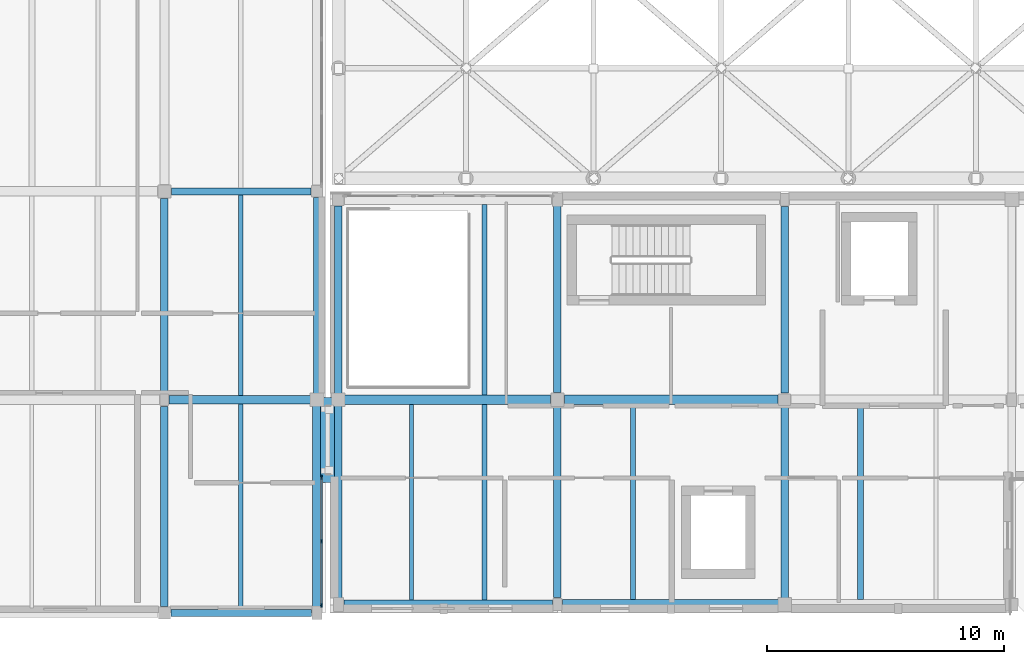
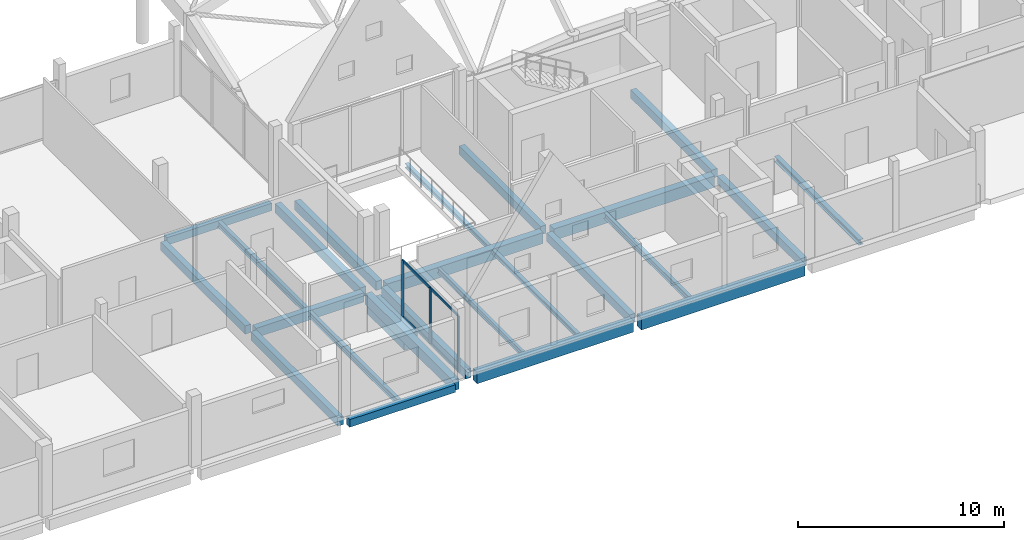
# One storey, part 7 of 41: 25 beams, 7 members, 1 element without a shape of its own.
"""IFC4 building model written with IfcOpenShell, lengths in metres."""

from ifc_helpers import new_model, si_unit, direction, frame, origin, origin_2d, place, context, subcontext, project, spatial, rectangle, i_section, extrude, material, layer, layer_set, material_profile, profile_set, type_object, element, aggregate, save


model = new_model("IFC4")

# Units and contexts
model_context = context("Model", 3, precision=1e-05, world=origin(), true_north=direction((0.0, 1.0)))
body_context = subcontext(model_context, "Body", "Model", "MODEL_VIEW")
ifc_project = project(units=[si_unit("LENGTHUNIT", "METRE"), si_unit("AREAUNIT", "SQUARE_METRE"), si_unit("VOLUMEUNIT", "CUBIC_METRE"), si_unit("PLANEANGLEUNIT", "RADIAN"), si_unit("MASSUNIT", "GRAM", prefix="KILO")], contexts=[model_context])

# Site, building, storey
site_placement = place(None, origin())
site = spatial("IfcSite", under=ifc_project, at=site_placement, CompositionType="ELEMENT")
building_placement = place(site_placement, origin())
building = spatial("IfcBuilding", under=site, at=building_placement, Name="Birchvale Park Specialist Clinic", CompositionType="ELEMENT")
storey_placement = place(building_placement, frame((0.0, 0.0, 9.60009765625)))
storey = spatial("IfcBuildingStorey", under=building, at=storey_placement, Name="L02", CompositionType="ELEMENT", Elevation=9.60009765625)

# Beams
ifc_material_1 = material(Name="Concrete C40/50", Category="concrete")
ifc_material_profile_1 = material_profile(ifc_material_1, rectangle(XDim=0.419921875, YDim=0.719970703125, at=origin_2d()), Name="RCB-420x720")
ifc_profile_set_1 = profile_set([ifc_material_profile_1], Name="Concrete C40/50")
beam_type_1 = type_object("IfcBeamType", Name="BM-EXT-BG3", PredefinedType="BEAM", material=ifc_profile_set_1)
beam_1_placement = place(storey_placement, frame((61.610107421875, 17.14990234375, -0.64013671875), z_axis=(1.0, 0.0, 0.0), x_axis=(0.0, 1.0, 0.0)))
element("IfcBeam", 1, at=beam_1_placement, inside=storey, type_object=beam_type_1, Name="V4 L02 X girder 2", PredefinedType="BEAM", context=body_context, shape_type="SweptSolid", body=[
    extrude(rectangle(XDim=0.419921875, YDim=0.719970703125, at=origin_2d()), origin(), (0.0, 0.0, 1.0), 9.204833984375),
])
ifc_material_profile_2 = material_profile(ifc_material_1, rectangle(XDim=0.39990234375, YDim=0.68994140625, at=origin_2d()), Name="RCB-400x690")
ifc_profile_set_2 = profile_set([ifc_material_profile_2], Name="Concrete C40/50")
beam_type_2 = type_object("IfcBeamType", Name="BM-EXT-BG4", PredefinedType="BEAM", material=ifc_profile_set_2)
beam_2_placement = place(storey_placement, frame((52.389892578125, 17.14990234375, -0.625), z_axis=(1.0, 0.0, 0.0), x_axis=(0.0, 1.0, 0.0)))
element("IfcBeam", 2, at=beam_2_placement, inside=storey, type_object=beam_type_2, Name="V4 L02 X girder 1", PredefinedType="BEAM", context=body_context, shape_type="SweptSolid", body=[
    extrude(rectangle(XDim=0.39990234375, YDim=0.68994140625, at=origin_2d()), origin(), (0.0, 0.0, 1.0), 8.800048828125),
])
ifc_material_profile_3 = material_profile(ifc_material_1, rectangle(XDim=0.3798828125, YDim=0.639892578125, at=origin_2d()), Name="RCB-380x640")
ifc_profile_set_3 = profile_set([ifc_material_profile_3], Name="Concrete C40/50")
beam_type_3 = type_object("IfcBeamType", Name="BM-EXT-BG5", PredefinedType="BEAM", material=ifc_profile_set_3)
beam_3_placement = place(storey_placement, frame((51.25, 17.0400390625, -0.670166015625), z_axis=(0.0, 1.0, 0.0), x_axis=(-1.0, 0.0, 0.0)))
element("IfcBeam", 3, at=beam_3_placement, inside=storey, type_object=beam_type_3, Name="V2 L02 Y girder 35", PredefinedType="BEAM", context=body_context, shape_type="SweptSolid", body=[
    extrude(rectangle(XDim=0.3798828125, YDim=0.639892578125, at=origin_2d()), origin(), (0.0, 0.0, 1.0), 8.5),
])
ifc_material_profile_4 = material_profile(ifc_material_1, rectangle(XDim=0.320068359375, YDim=0.5400390625, at=origin_2d()), Name="RCB-320x540")
ifc_profile_set_4 = profile_set([ifc_material_profile_4], Name="Concrete C40/50")
beam_type_4 = type_object("IfcBeamType", Name="BM-EXT-BG7", PredefinedType="BEAM", material=ifc_profile_set_4)
beam_4_placement = place(storey_placement, frame((51.25, 26.06005859375, -0.6201171875), z_axis=(0.0, 1.0, 0.0), x_axis=(-1.0, 0.0, 0.0)))
element("IfcBeam", 4, at=beam_4_placement, inside=storey, type_object=beam_type_4, Name="V2 L02 Y girder 36", PredefinedType="BEAM", context=body_context, shape_type="SweptSolid", body=[
    extrude(rectangle(XDim=0.320068359375, YDim=0.5400390625, at=origin_2d()), origin(), (0.0, 0.0, 1.0), 8.27490234375),
])
beam_5_placement = place(storey_placement, frame((52.14990234375, 17.389892578125, -0.550048828125), z_axis=(0.0, 1.0, 0.0), x_axis=(-1.0, 0.0, 0.0)))
element("IfcBeam", 5, at=beam_5_placement, inside=storey, type_object=beam_type_4, Name="V4 L02 Y girder 21", PredefinedType="BEAM", context=body_context, shape_type="SweptSolid", body=[
    extrude(rectangle(XDim=0.320068359375, YDim=0.5400390625, at=origin_2d()), origin(), (0.0, 0.0, 1.0), 8.150146484375),
])
beam_6_placement = place(storey_placement, frame((52.14990234375, 26.06005859375, -0.550048828125), z_axis=(0.0, 1.0, 0.0), x_axis=(-1.0, 0.0, 0.0)))
element("IfcBeam", 6, at=beam_6_placement, inside=storey, type_object=beam_type_4, Name="V4 L02 Y girder 22", PredefinedType="BEAM", context=body_context, shape_type="SweptSolid", body=[
    extrude(rectangle(XDim=0.320068359375, YDim=0.5400390625, at=origin_2d()), origin(), (0.0, 0.0, 1.0), 7.925048828125),
])
ifc_material_profile_5 = material_profile(ifc_material_1, rectangle(XDim=0.760009765625, YDim=0.889892578125, at=origin_2d()), Name="RCB-760x890")
ifc_profile_set_5 = profile_set([ifc_material_profile_5], Name="Concrete C40/50")
beam_type_5 = type_object("IfcBeamType", Name="BM-EXT-RB2", PredefinedType="BEAM", material=ifc_profile_set_5)
beam_7_placement = place(storey_placement, frame((51.77001953125, 22.300048828125, -1.43212890625), z_axis=(0.0, 1.0, 0.0), x_axis=(-1.0, 0.0, 0.0)))
element("IfcBeam", 7, at=beam_7_placement, inside=storey, type_object=beam_type_5, Name="L02 seismic joint RC corbel seat 760 mm BRG-1", PredefinedType="BEAM", context=body_context, shape_type="SweptSolid", body=[
    extrude(rectangle(XDim=0.760009765625, YDim=0.889892578125, at=origin_2d()), origin(), (0.0, 0.0, 1.0), 3.599853515625),
])
ifc_material_profile_6 = material_profile(ifc_material_1, rectangle(XDim=0.419921875, YDim=0.679931640625, at=origin_2d()), Name="RCB-420x680")
ifc_profile_set_6 = profile_set([ifc_material_profile_6], Name="Concrete C40/50")
beam_type_6 = type_object("IfcBeamType", Name="BM-INT-BG3", PredefinedType="BEAM", material=ifc_profile_set_6)
beam_8_placement = place(storey_placement, frame((61.699951171875, 25.800048828125, -0.6201171875), z_axis=(1.0, 0.0, 0.0), x_axis=(0.0, 1.0, 0.0)))
element("IfcBeam", 8, at=beam_8_placement, inside=storey, type_object=beam_type_6, Name="V4 L02 X girder 8", PredefinedType="BEAM", context=body_context, shape_type="SweptSolid", body=[
    extrude(rectangle(XDim=0.419921875, YDim=0.679931640625, at=origin_2d()), origin(), (0.0, 0.0, 1.0), 9.025146484375),
])
ifc_material_profile_7 = material_profile(ifc_material_1, rectangle(XDim=0.39990234375, YDim=0.64990234375, at=origin_2d()), Name="RCB-400x650")
ifc_profile_set_7 = profile_set([ifc_material_profile_7], Name="Concrete C40/50")
beam_type_7 = type_object("IfcBeamType", Name="BM-INT-BG4", PredefinedType="BEAM", material=ifc_profile_set_7)
beam_9_placement = place(storey_placement, frame((52.3349609375, 25.800048828125, -0.60498046875), z_axis=(1.0, 0.0, 0.0), x_axis=(0.0, 1.0, 0.0)))
element("IfcBeam", 9, at=beam_9_placement, inside=storey, type_object=beam_type_7, Name="V4 L02 X girder 7", PredefinedType="BEAM", context=body_context, shape_type="SweptSolid", body=[
    extrude(rectangle(XDim=0.39990234375, YDim=0.64990234375, at=origin_2d()), origin(), (0.0, 0.0, 1.0), 8.76513671875),
])
ifc_material_profile_8 = material_profile(ifc_material_1, rectangle(XDim=0.35009765625, YDim=0.550048828125, at=origin_2d()), Name="RCB-350x550")
ifc_profile_set_8 = profile_set([ifc_material_profile_8], Name="Concrete C40/50")
beam_type_8 = type_object("IfcBeamType", Name="BM-INT-BG6", PredefinedType="BEAM", material=ifc_profile_set_8)
beam_10_placement = place(storey_placement, frame((45.0, 25.800048828125, -0.625), z_axis=(1.0, 0.0, 0.0), x_axis=(0.0, 1.0, 0.0)))
element("IfcBeam", 10, at=beam_10_placement, inside=storey, type_object=beam_type_8, Name="V2 L02 X girder 10", PredefinedType="BEAM", context=body_context, shape_type="SweptSolid", body=[
    extrude(rectangle(XDim=0.35009765625, YDim=0.550048828125, at=origin_2d()), origin(), (0.0, 0.0, 1.0), 6.06494140625),
])
ifc_material_profile_9 = material_profile(ifc_material_1, rectangle(XDim=0.320068359375, YDim=0.5, at=origin_2d()), Name="RCB-320x500")
ifc_profile_set_9 = profile_set([ifc_material_profile_9], Name="Concrete C40/50")
beam_type_9 = type_object("IfcBeamType", Name="BM-INT-BG7", PredefinedType="BEAM", material=ifc_profile_set_9)
beam_11_placement = place(storey_placement, frame((44.800048828125, 17.074951171875, -0.60009765625), z_axis=(0.0, 1.0, 0.0), x_axis=(-1.0, 0.0, 0.0)))
element("IfcBeam", 11, at=beam_11_placement, inside=storey, type_object=beam_type_9, Name="V2 L02 Y girder 32", PredefinedType="BEAM", context=body_context, shape_type="SweptSolid", body=[
    extrude(rectangle(XDim=0.320068359375, YDim=0.5, at=origin_2d()), origin(), (0.0, 0.0, 1.0), 8.449951171875),
])
beam_12_placement = place(storey_placement, frame((44.800048828125, 26.074951171875, -0.60009765625), z_axis=(0.0, 1.0, 0.0), x_axis=(-1.0, 0.0, 0.0)))
element("IfcBeam", 12, at=beam_12_placement, inside=storey, type_object=beam_type_9, Name="V2 L02 Y girder 33", PredefinedType="BEAM", context=body_context, shape_type="SweptSolid", body=[
    extrude(rectangle(XDim=0.320068359375, YDim=0.5, at=origin_2d()), origin(), (0.0, 0.0, 1.0), 8.22509765625),
])
beam_13_placement = place(storey_placement, frame((61.39990234375, 17.43994140625, -0.530029296875), z_axis=(0.0, 1.0, 0.0), x_axis=(-1.0, 0.0, 0.0)))
element("IfcBeam", 13, at=beam_13_placement, inside=storey, type_object=beam_type_9, Name="V4 L02 Y girder 23", PredefinedType="BEAM", context=body_context, shape_type="SweptSolid", body=[
    extrude(rectangle(XDim=0.320068359375, YDim=0.5, at=origin_2d()), origin(), (0.0, 0.0, 1.0), 8.06005859375),
])
beam_14_placement = place(storey_placement, frame((61.39990234375, 26.10009765625, -0.530029296875), z_axis=(0.0, 1.0, 0.0), x_axis=(-1.0, 0.0, 0.0)))
element("IfcBeam", 14, at=beam_14_placement, inside=storey, type_object=beam_type_9, Name="V4 L02 Y girder 24", PredefinedType="BEAM", context=body_context, shape_type="SweptSolid", body=[
    extrude(rectangle(XDim=0.320068359375, YDim=0.5, at=origin_2d()), origin(), (0.0, 0.0, 1.0), 7.909912109375),
])
beam_15_placement = place(storey_placement, frame((71.0, 17.409912109375, -0.530029296875), z_axis=(0.0, 1.0, 0.0), x_axis=(-1.0, 0.0, 0.0)))
element("IfcBeam", 15, at=beam_15_placement, inside=storey, type_object=beam_type_9, Name="V4 L02 Y girder 25", PredefinedType="BEAM", context=body_context, shape_type="SweptSolid", body=[
    extrude(rectangle(XDim=0.320068359375, YDim=0.5, at=origin_2d()), origin(), (0.0, 0.0, 1.0), 8.114990234375),
])
beam_16_placement = place(storey_placement, frame((71.0, 26.074951171875, -0.530029296875), z_axis=(0.0, 1.0, 0.0), x_axis=(-1.0, 0.0, 0.0)))
element("IfcBeam", 16, at=beam_16_placement, inside=storey, type_object=beam_type_9, Name="V4 L02 Y girder 26", PredefinedType="BEAM", context=body_context, shape_type="SweptSolid", body=[
    extrude(rectangle(XDim=0.320068359375, YDim=0.5, at=origin_2d()), origin(), (0.0, 0.0, 1.0), 7.885009765625),
])
ifc_material_profile_10 = material_profile(ifc_material_1, rectangle(XDim=0.300048828125, YDim=0.449951171875, at=origin_2d()), Name="RCB-300x450")
ifc_profile_set_10 = profile_set([ifc_material_profile_10], Name="Concrete C40/50")
beam_type_10 = type_object("IfcBeamType", Name="BM-INT-BG8", PredefinedType="BEAM", material=ifc_profile_set_10)
beam_17_placement = place(storey_placement, frame((45.074951171875, 16.800048828125, -0.5751953125), z_axis=(1.0, 0.0, 0.0), x_axis=(0.0, 1.0, 0.0)))
element("IfcBeam", 17, at=beam_17_placement, inside=storey, type_object=beam_type_10, Name="V2 L02 X girder 5", PredefinedType="BEAM", context=body_context, shape_type="SweptSolid", body=[
    extrude(rectangle(XDim=0.300048828125, YDim=0.449951171875, at=origin_2d()), origin(), (0.0, 0.0, 1.0), 5.93505859375),
])
beam_18_placement = place(storey_placement, frame((45.10009765625, 34.60009765625, -0.5751953125), z_axis=(1.0, 0.0, 0.0), x_axis=(0.0, 1.0, 0.0)))
element("IfcBeam", 18, at=beam_18_placement, inside=storey, type_object=beam_type_10, Name="V2 L02 X girder 15", PredefinedType="BEAM", context=body_context, shape_type="SweptSolid", body=[
    extrude(rectangle(XDim=0.300048828125, YDim=0.449951171875, at=origin_2d()), origin(), (0.0, 0.0, 1.0), 5.885009765625),
])

# Curtain wall, members
ifc_material_2 = material(Name="Thermally broken anodised aluminium", Category="aluminium")
ifc_layer = layer(ifc_material_2, 0.195068359375)
ifc_layer_set = layer_set([ifc_layer], Name="Thermally broken anodised aluminium")
curtain_wall_type = type_object("IfcCurtainWallType", Name="CW-U2", PredefinedType="USERDEFINED", material=ifc_layer_set)
curtain_wall_placement = place(storey_placement, origin())
curtain_wall = element("IfcCurtainWall", 19, at=curtain_wall_placement, inside=storey, type_object=curtain_wall_type, Name="V2 L02 glazed curtain wall 103", ObjectType="UNITISED", PredefinedType="USERDEFINED")
ifc_material_profile_11 = material_profile(ifc_material_2, rectangle(XDim=0.06494140625, YDim=0.179931640625, at=origin_2d()), Name="CWM-65x180")
ifc_profile_set_11 = profile_set([ifc_material_profile_11], Name="Thermally broken anodised aluminium")
member_type_1 = type_object("IfcMemberType", Name="CWM2", PredefinedType="MULLION", material=ifc_profile_set_11)
member_1_placement = place(storey_placement, frame((51.445068359375, 17.12255859375, 0.0), z_axis=(0.0, 0.0, 1.0), x_axis=(-1.0, 0.0, 0.0)))
member_1 = element("IfcMember", 20, at=member_1_placement, type_object=member_type_1, Name="CW mullion 1", PredefinedType="MULLION", context=body_context, shape_type="SweptSolid", body=[
    extrude(rectangle(XDim=0.06494140625, YDim=0.179931640625, at=origin_2d()), origin(), (0.0, 0.0, 1.0), 3.3349609375),
])
member_2_placement = place(storey_placement, frame((51.445068359375, 19.820068359375, 0.0), z_axis=(0.0, 0.0, 1.0), x_axis=(-1.0, 0.0, 0.0)))
member_2 = element("IfcMember", 21, at=member_2_placement, type_object=member_type_1, Name="CW mullion 2", PredefinedType="MULLION", context=body_context, shape_type="SweptSolid", body=[
    extrude(rectangle(XDim=0.06494140625, YDim=0.179931640625, at=origin_2d()), origin(), (0.0, 0.0, 1.0), 3.3349609375),
])
member_3_placement = place(storey_placement, frame((51.445068359375, 22.517578125, 0.0), z_axis=(0.0, 0.0, 1.0), x_axis=(-1.0, 0.0, 0.0)))
member_3 = element("IfcMember", 22, at=member_3_placement, type_object=member_type_1, Name="CW mullion 3", PredefinedType="MULLION", context=body_context, shape_type="SweptSolid", body=[
    extrude(rectangle(XDim=0.06494140625, YDim=0.179931640625, at=origin_2d()), origin(), (0.0, 0.0, 1.0), 3.3349609375),
])
ifc_material_profile_12 = material_profile(ifc_material_2, rectangle(XDim=0.06494140625, YDim=0.139892578125, at=origin_2d()), Name="CWT-65x140")
ifc_profile_set_12 = profile_set([ifc_material_profile_12], Name="Thermally broken anodised aluminium")
member_type_2 = type_object("IfcMemberType", Name="CWT2", PredefinedType="USERDEFINED", material=ifc_profile_set_12)
member_4_placement = place(storey_placement, frame((51.445068359375, 17.155029296875, 0.032470703125), z_axis=(0.0, 1.0, 0.0), x_axis=(-1.0, 0.0, 0.0)))
member_4 = element("IfcMember", 23, at=member_4_placement, type_object=member_type_2, Name="CW transom 1.1", ObjectType="TRANSOM", PredefinedType="USERDEFINED", context=body_context, shape_type="SweptSolid", body=[
    extrude(rectangle(XDim=0.06494140625, YDim=0.139892578125, at=origin_2d()), origin(), (0.0, 0.0, 1.0), 2.632568359375),
])
member_5_placement = place(storey_placement, frame((51.445068359375, 17.155029296875, 3.302490234375), z_axis=(0.0, 1.0, 0.0), x_axis=(-1.0, 0.0, 0.0)))
member_5 = element("IfcMember", 24, at=member_5_placement, type_object=member_type_2, Name="CW transom 1.2", ObjectType="TRANSOM", PredefinedType="USERDEFINED", context=body_context, shape_type="SweptSolid", body=[
    extrude(rectangle(XDim=0.06494140625, YDim=0.139892578125, at=origin_2d()), origin(), (0.0, 0.0, 1.0), 2.632568359375),
])
member_6_placement = place(storey_placement, frame((51.445068359375, 19.8525390625, 0.032470703125), z_axis=(0.0, 1.0, 0.0), x_axis=(-1.0, 0.0, 0.0)))
member_6 = element("IfcMember", 25, at=member_6_placement, type_object=member_type_2, Name="CW transom 2.1", ObjectType="TRANSOM", PredefinedType="USERDEFINED", context=body_context, shape_type="SweptSolid", body=[
    extrude(rectangle(XDim=0.06494140625, YDim=0.139892578125, at=origin_2d()), origin(), (0.0, 0.0, 1.0), 2.632568359375),
])
member_7_placement = place(storey_placement, frame((51.445068359375, 19.8525390625, 3.302490234375), z_axis=(0.0, 1.0, 0.0), x_axis=(-1.0, 0.0, 0.0)))
member_7 = element("IfcMember", 26, at=member_7_placement, type_object=member_type_2, Name="CW transom 2.2", ObjectType="TRANSOM", PredefinedType="USERDEFINED", context=body_context, shape_type="SweptSolid", body=[
    extrude(rectangle(XDim=0.06494140625, YDim=0.139892578125, at=origin_2d()), origin(), (0.0, 0.0, 1.0), 2.632568359375),
])
aggregate(curtain_wall, [member_1, member_2, member_3, member_4, member_5, member_6, member_7])

# Beams
ifc_material_3 = material(Name="Steel ASTM A992 Grade 50", Category="steel")
ifc_material_profile_13 = material_profile(ifc_material_3, i_section(OverallWidth=0.2041015625, OverallDepth=0.35107421875, WebThickness=0.008544921875, FlangeThickness=0.01513671875, at=origin_2d()), Name="W14X48")
ifc_profile_set_13 = profile_set([ifc_material_profile_13], Name="Steel ASTM A992 Grade 50")
beam_type_11 = type_object("IfcBeamType", Name="STL-INT-SJ1", PredefinedType="JOIST", material=ifc_profile_set_13)
beam_19_placement = place(storey_placement, frame((48.02490234375, 16.949951171875, -0.525634765625), z_axis=(0.0, 1.0, 0.0), x_axis=(-1.0, 0.0, 0.0)))
element("IfcBeam", 27, at=beam_19_placement, inside=storey, type_object=beam_type_11, Name="V2 L02 secondary floor joist 19", PredefinedType="JOIST", context=body_context, shape_type="SweptSolid", body=[
    extrude(i_section(OverallWidth=0.2041015625, OverallDepth=0.35107421875, WebThickness=0.008544921875, FlangeThickness=0.01513671875, at=origin_2d()), origin(), (0.0, 0.0, 1.0), 8.675048828125),
])
beam_20_placement = place(storey_placement, frame((48.02490234375, 25.97509765625, -0.525634765625), z_axis=(0.0, 1.0, 0.0), x_axis=(-1.0, 0.0, 0.0)))
element("IfcBeam", 28, at=beam_20_placement, inside=storey, type_object=beam_type_11, Name="V2 L02 secondary floor joist 20", PredefinedType="JOIST", context=body_context, shape_type="SweptSolid", body=[
    extrude(i_section(OverallWidth=0.2041015625, OverallDepth=0.35107421875, WebThickness=0.008544921875, FlangeThickness=0.01513671875, at=origin_2d()), origin(), (0.0, 0.0, 1.0), 8.474853515625),
])
beam_21_placement = place(storey_placement, frame((64.60009765625, 17.360107421875, -0.45556640625), z_axis=(0.0, 1.0, 0.0), x_axis=(-1.0, 0.0, 0.0)))
element("IfcBeam", 29, at=beam_21_placement, inside=storey, type_object=beam_type_11, Name="V4 L02 secondary floor joist 4", PredefinedType="JOIST", context=body_context, shape_type="SweptSolid", body=[
    extrude(i_section(OverallWidth=0.2041015625, OverallDepth=0.35107421875, WebThickness=0.008544921875, FlangeThickness=0.01513671875, at=origin_2d()), origin(), (0.0, 0.0, 1.0), 8.22998046875),
])
ifc_material_profile_14 = material_profile(ifc_material_3, i_section(OverallWidth=0.25390625, OverallDepth=0.305908203125, WebThickness=0.0087890625, FlangeThickness=0.0146484375, at=origin_2d()), Name="W12X53")
ifc_profile_set_14 = profile_set([ifc_material_profile_14], Name="Steel ASTM A992 Grade 50")
beam_type_12 = type_object("IfcBeamType", Name="STL-INT-SJ2", PredefinedType="JOIST", material=ifc_profile_set_14)
beam_22_placement = place(storey_placement, frame((74.199951171875, 17.360107421875, -0.43310546875), z_axis=(0.0, 1.0, 0.0), x_axis=(-1.0, 0.0, 0.0)))
element("IfcBeam", 30, at=beam_22_placement, inside=storey, type_object=beam_type_12, Name="V4 L02 secondary floor joist 5", PredefinedType="JOIST", context=body_context, shape_type="SweptSolid", body=[
    extrude(i_section(OverallWidth=0.25390625, OverallDepth=0.305908203125, WebThickness=0.0087890625, FlangeThickness=0.0146484375, at=origin_2d()), origin(), (0.0, 0.0, 1.0), 8.22998046875),
])
ifc_material_profile_15 = material_profile(ifc_material_3, i_section(OverallWidth=0.1669921875, OverallDepth=0.31689453125, WebThickness=0.007568359375, FlangeThickness=0.01318359375, at=origin_2d()), Name="W12X35")
ifc_profile_set_15 = profile_set([ifc_material_profile_15], Name="Steel ASTM A992 Grade 50")
beam_type_13 = type_object("IfcBeamType", Name="STL-INT-SJ3", PredefinedType="JOIST", material=ifc_profile_set_15)
beam_23_placement = place(storey_placement, frame((55.2333984375, 17.35009765625, -0.4384765625), z_axis=(0.0, 1.0, 0.0), x_axis=(-1.0, 0.0, 0.0)))
element("IfcBeam", 31, at=beam_23_placement, inside=storey, type_object=beam_type_13, Name="V4 L02 secondary floor joist 1", PredefinedType="JOIST", context=body_context, shape_type="SweptSolid", body=[
    extrude(i_section(OverallWidth=0.1669921875, OverallDepth=0.31689453125, WebThickness=0.007568359375, FlangeThickness=0.01318359375, at=origin_2d()), origin(), (0.0, 0.0, 1.0), 8.25),
])
ifc_material_profile_16 = material_profile(ifc_material_3, i_section(OverallWidth=0.202880859375, OverallDepth=0.251953125, WebThickness=0.008056640625, FlangeThickness=0.013427734375, at=origin_2d()), Name="W10X39")
ifc_profile_set_16 = profile_set([ifc_material_profile_16], Name="Steel ASTM A992 Grade 50")
beam_type_14 = type_object("IfcBeamType", Name="STL-INT-SJ4", PredefinedType="JOIST", material=ifc_profile_set_16)
beam_24_placement = place(storey_placement, frame((58.316650390625, 17.35009765625, -0.406005859375), z_axis=(0.0, 1.0, 0.0), x_axis=(-1.0, 0.0, 0.0)))
element("IfcBeam", 32, at=beam_24_placement, inside=storey, type_object=beam_type_14, Name="V4 L02 secondary floor joist 2", PredefinedType="JOIST", context=body_context, shape_type="SweptSolid", body=[
    extrude(i_section(OverallWidth=0.202880859375, OverallDepth=0.251953125, WebThickness=0.008056640625, FlangeThickness=0.013427734375, at=origin_2d()), origin(), (0.0, 0.0, 1.0), 8.25),
])
beam_25_placement = place(storey_placement, frame((58.316650390625, 26.0, -0.406005859375), z_axis=(0.0, 1.0, 0.0), x_axis=(-1.0, 0.0, 0.0)))
element("IfcBeam", 33, at=beam_25_placement, inside=storey, type_object=beam_type_14, Name="V4 L02 secondary floor joist 3", PredefinedType="JOIST", context=body_context, shape_type="SweptSolid", body=[
    extrude(i_section(OverallWidth=0.202880859375, OverallDepth=0.251953125, WebThickness=0.008056640625, FlangeThickness=0.013427734375, at=origin_2d()), origin(), (0.0, 0.0, 1.0), 8.050048828125),
])

save(model, "model.ifc")
